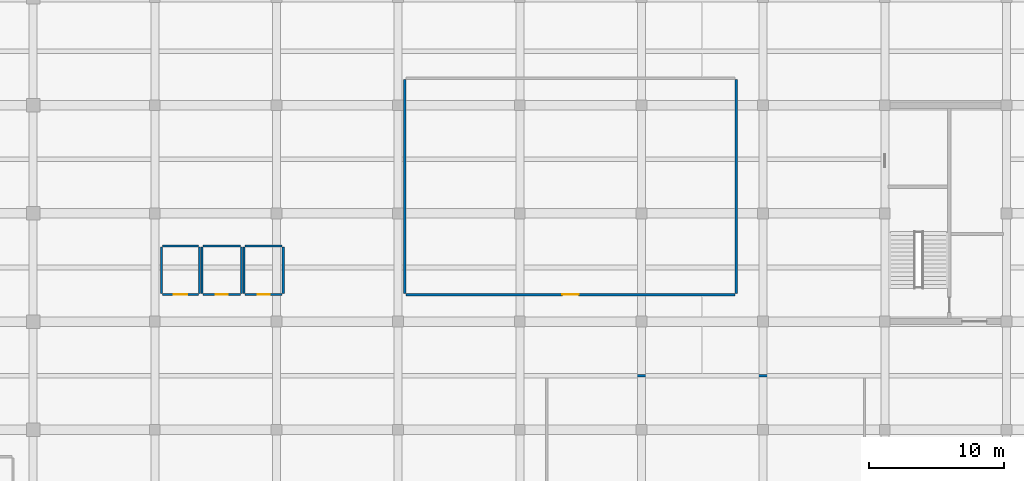
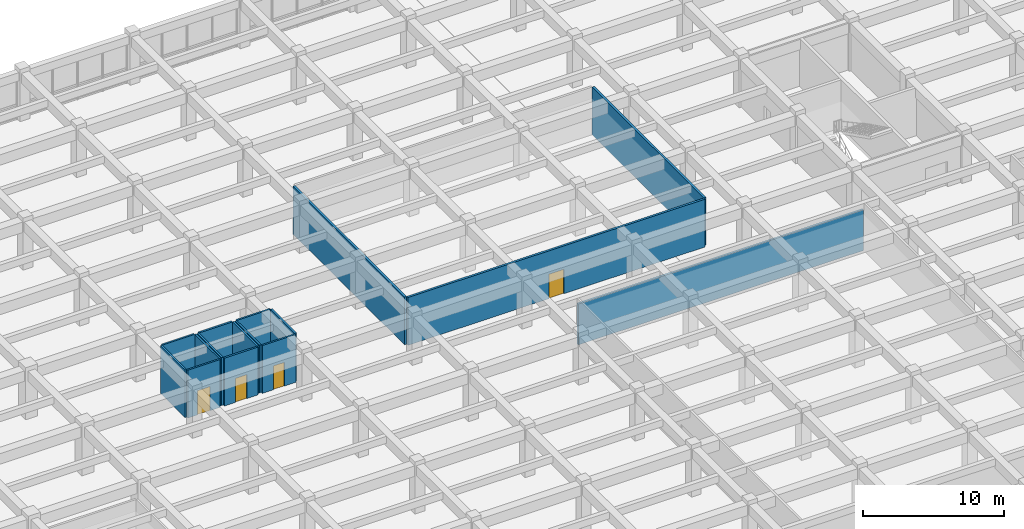
# One storey, part 31 of 50: 16 walls, 4 doors, 4 openings.
"""IFC4 building model written with IfcOpenShell, lengths in metres."""

from ifc_helpers import new_model, si_unit, direction, frame, frame_2d, origin, place, context, subcontext, project, spatial, rectangle, extrude, material, layer, layer_set, type_object, element, fill, save


model = new_model("IFC4")

# Units and contexts
model_context = context("Model", 3, precision=1e-05, world=origin(), true_north=direction((0.0, 1.0)))
body_context = subcontext(model_context, "Body", "Model", "MODEL_VIEW")
ifc_project = project(units=[si_unit("LENGTHUNIT", "METRE"), si_unit("AREAUNIT", "SQUARE_METRE"), si_unit("VOLUMEUNIT", "CUBIC_METRE"), si_unit("PLANEANGLEUNIT", "RADIAN"), si_unit("MASSUNIT", "GRAM", prefix="KILO")], contexts=[model_context])

# Site, building, storey
site_placement = place(None, origin())
site = spatial("IfcSite", under=ifc_project, at=site_placement, CompositionType="ELEMENT")
building_placement = place(site_placement, origin())
building = spatial("IfcBuilding", under=site, at=building_placement, Name="Zaverband Oceanarium and Marine Research Institute", CompositionType="ELEMENT")
storey_placement = place(building_placement, frame((0.0, 0.0, 9.0)))
storey = spatial("IfcBuildingStorey", under=building, at=storey_placement, Name="L02", CompositionType="ELEMENT", Elevation=9.0)

# Wall, opening, door
ifc_material_1 = material(Name="Ceramic-tiled wet-room blockwork", Category="masonry")
ifc_layer_1 = layer(ifc_material_1, 0.14990234375, Name="Ceramic-tiled wet-room blockwork")
ifc_layer_set_1 = layer_set([ifc_layer_1], Name="Ceramic-tiled wet-room blockwork")
wall_type_1 = type_object("IfcWallType", Name="PT-150-WC", PredefinedType="PARTITIONING", material=ifc_layer_set_1)
wall_1_placement = place(storey_placement, frame((81.574951171875, 82.0, 0.0), z_axis=(0.0, 0.0, 1.0), x_axis=(1.0, 0.0, 0.0)))
wall_1 = element("IfcWall", 1, at=wall_1_placement, inside=storey, type_object=wall_type_1, Name="Internal partition PT-150-WC", PredefinedType="PARTITIONING", context=body_context, shape_type="SweptSolid", body=[
    extrude(rectangle(XDim=2.650146484375, YDim=0.14990234375, at=frame_2d((1.3251953125, 0.0))), origin(), (0.0, 0.0, 1.0), 4.139892578125),
])
opening_1_placement = place(wall_1_placement, frame((0.81494140625, 0.0, 0.0)))
opening_1 = element("IfcOpeningElement", 2, at=opening_1_placement, cuts=wall_1, Name="Opening ID-1020x2100", PredefinedType="OPENING", context=body_context, shape_type="SweptSolid", body=[
    extrude(rectangle(XDim=1.02001953125, YDim=2.10009765625, at=frame_2d((0.510009765625, 1.050048828125))), frame((0.0, 0.0869140625, 0.0), z_axis=(0.0, -1.0, 0.0), x_axis=(1.0, 0.0, 0.0)), (0.0, 0.0, 1.0), 0.173828125),
])
ifc_material_2 = material(Name="Hardwood-veneered acoustic timber", Category="wood")
door_type_1 = type_object("IfcDoorType", Name="ID-1020x2100", OperationType="NOTDEFINED", PredefinedType="DOOR", material=ifc_material_2)
door_1_placement = place(opening_1_placement, frame((1.02001953125, 0.0, 0.0), z_axis=(0.0, 0.0, 1.0), x_axis=(-1.0, 0.0, 0.0)))
door_1 = element("IfcDoor", 3, at=door_1_placement, inside=storey, type_object=door_type_1, Name="Accessible WC outward-swing door ID-1020x2100", OperationType="SINGLE_SWING_LEFT", OverallHeight=2.10009765625, OverallWidth=1.02001953125, PredefinedType="DOOR", context=body_context, shape_type="SweptSolid", body=[
    extrude(rectangle(XDim=1.02001953125, YDim=2.10009765625, at=frame_2d((0.510009765625, 1.050048828125))), frame((0.0, 0.02490234375, 0.0), z_axis=(0.0, -1.0, 0.0), x_axis=(1.0, 0.0, 0.0)), (0.0, 0.0, 1.0), 0.050048828125),
])
fill(opening_1, door_1)

# Walls
wall_2_placement = place(storey_placement, frame((81.574951171875, 85.60009765625, 0.0), z_axis=(0.0, 0.0, 1.0), x_axis=(1.0, 0.0, 0.0)))
element("IfcWall", 4, at=wall_2_placement, inside=storey, type_object=wall_type_1, Name="Internal partition PT-150-WC", PredefinedType="PARTITIONING", context=body_context, shape_type="SweptSolid", body=[
    extrude(rectangle(XDim=2.650146484375, YDim=0.14990234375, at=frame_2d((1.3251953125, 0.0))), origin(), (0.0, 0.0, 1.0), 4.139892578125),
])
for number, where, z_axis, x_axis, name in (
    (5, (81.5, 82.074951171875, 0.0), (0.0, 0.0, 1.0), (0.0, 1.0, 0.0), "Internal partition PT-150-WC"),
    (6, (84.300048828125, 82.074951171875, 0.0), (0.0, 0.0, 1.0), (0.0, 1.0, 0.0), "Internal partition PT-150-WC"),
):
    element("IfcWall", number, at=place(storey_placement, frame(where, z_axis=z_axis, x_axis=x_axis)), inside=storey, type_object=wall_type_1, Name=name, PredefinedType="PARTITIONING", context=body_context, shape_type="SweptSolid", body=[
        extrude(rectangle(XDim=3.449951171875, YDim=0.14990234375, at=frame_2d((1.72509765625, 0.0))), origin(), (0.0, 0.0, 1.0), 4.139892578125),
    ])

# Wall, opening, door
wall_3_placement = place(storey_placement, frame((84.574951171875, 82.0, 0.0), z_axis=(0.0, 0.0, 1.0), x_axis=(1.0, 0.0, 0.0)))
wall_3 = element("IfcWall", 7, at=wall_3_placement, inside=storey, type_object=wall_type_1, Name="Internal partition PT-150-WC", PredefinedType="PARTITIONING", context=body_context, shape_type="SweptSolid", body=[
    extrude(rectangle(XDim=2.75, YDim=0.14990234375, at=frame_2d((1.375, 0.0))), origin(), (0.0, 0.0, 1.0), 4.139892578125),
])
opening_2_placement = place(wall_3_placement, frame((0.919921875, 0.0, 0.0)))
opening_2 = element("IfcOpeningElement", 8, at=opening_2_placement, cuts=wall_3, Name="Opening ID-910x2080", PredefinedType="OPENING", context=body_context, shape_type="SweptSolid", body=[
    extrude(rectangle(XDim=0.909912109375, YDim=2.080078125, at=frame_2d((0.455078125, 1.0400390625))), frame((0.0, 0.0869140625, 0.0), z_axis=(0.0, -1.0, 0.0), x_axis=(1.0, 0.0, 0.0)), (0.0, 0.0, 1.0), 0.173828125),
])
door_type_2 = type_object("IfcDoorType", Name="ID-910x2080", OperationType="NOTDEFINED", PredefinedType="DOOR", material=ifc_material_2)
door_2_placement = place(opening_2_placement, origin())
door_2 = element("IfcDoor", 9, at=door_2_placement, inside=storey, type_object=door_type_2, Name="Sanitary washroom entrance door ID-910x2080", OperationType="SINGLE_SWING_RIGHT", OverallHeight=2.080078125, OverallWidth=0.909912109375, PredefinedType="DOOR", context=body_context, shape_type="SweptSolid", body=[
    extrude(rectangle(XDim=0.909912109375, YDim=2.080078125, at=frame_2d((0.455078125, 1.0400390625))), frame((0.0, 0.02490234375, 0.0), z_axis=(0.0, -1.0, 0.0), x_axis=(1.0, 0.0, 0.0)), (0.0, 0.0, 1.0), 0.050048828125),
])
fill(opening_2, door_2)

# Walls
wall_4_placement = place(storey_placement, frame((84.574951171875, 85.60009765625, 0.0), z_axis=(0.0, 0.0, 1.0), x_axis=(1.0, 0.0, 0.0)))
element("IfcWall", 10, at=wall_4_placement, inside=storey, type_object=wall_type_1, Name="Internal partition PT-150-WC", PredefinedType="PARTITIONING", context=body_context, shape_type="SweptSolid", body=[
    extrude(rectangle(XDim=2.75, YDim=0.14990234375, at=frame_2d((1.375, 0.0))), origin(), (0.0, 0.0, 1.0), 4.139892578125),
])
for number, where, z_axis, x_axis, name in (
    (11, (84.5, 82.074951171875, 0.0), (0.0, 0.0, 1.0), (0.0, 1.0, 0.0), "Internal partition PT-150-WC"),
    (12, (87.39990234375, 82.074951171875, 0.0), (0.0, 0.0, 1.0), (0.0, 1.0, 0.0), "Internal partition PT-150-WC"),
):
    element("IfcWall", number, at=place(storey_placement, frame(where, z_axis=z_axis, x_axis=x_axis)), inside=storey, type_object=wall_type_1, Name=name, PredefinedType="PARTITIONING", context=body_context, shape_type="SweptSolid", body=[
        extrude(rectangle(XDim=3.449951171875, YDim=0.14990234375, at=frame_2d((1.72509765625, 0.0))), origin(), (0.0, 0.0, 1.0), 4.139892578125),
    ])

# Wall, opening, door
wall_5_placement = place(storey_placement, frame((87.675048828125, 82.0, 0.0), z_axis=(0.0, 0.0, 1.0), x_axis=(1.0, 0.0, 0.0)))
wall_5 = element("IfcWall", 13, at=wall_5_placement, inside=storey, type_object=wall_type_1, Name="Internal partition PT-150-WC", PredefinedType="PARTITIONING", context=body_context, shape_type="SweptSolid", body=[
    extrude(rectangle(XDim=2.75, YDim=0.14990234375, at=frame_2d((1.375, 0.0))), origin(), (0.0, 0.0, 1.0), 4.139892578125),
])
opening_3_placement = place(wall_5_placement, frame((0.929931640625, 0.0, 0.0)))
opening_3 = element("IfcOpeningElement", 14, at=opening_3_placement, cuts=wall_5, Name="Opening ID-890x2060", PredefinedType="OPENING", context=body_context, shape_type="SweptSolid", body=[
    extrude(rectangle(XDim=0.889892578125, YDim=2.06005859375, at=frame_2d((0.44482421875, 1.030029296875))), frame((0.0, 0.0869140625, 0.0), z_axis=(0.0, -1.0, 0.0), x_axis=(1.0, 0.0, 0.0)), (0.0, 0.0, 1.0), 0.173828125),
])
door_type_3 = type_object("IfcDoorType", Name="ID-890x2060", OperationType="NOTDEFINED", PredefinedType="DOOR", material=ifc_material_2)
door_3_placement = place(opening_3_placement, origin())
door_3 = element("IfcDoor", 15, at=door_3_placement, inside=storey, type_object=door_type_3, Name="Staff WC door ID-890x2060", OperationType="SINGLE_SWING_LEFT", OverallHeight=2.06005859375, OverallWidth=0.889892578125, PredefinedType="DOOR", context=body_context, shape_type="SweptSolid", body=[
    extrude(rectangle(XDim=0.889892578125, YDim=2.06005859375, at=frame_2d((0.44482421875, 1.030029296875))), frame((0.0, 0.02490234375, 0.0), z_axis=(0.0, -1.0, 0.0), x_axis=(1.0, 0.0, 0.0)), (0.0, 0.0, 1.0), 0.050048828125),
])
fill(opening_3, door_3)

# Walls
wall_6_placement = place(storey_placement, frame((87.675048828125, 85.60009765625, 0.0), z_axis=(0.0, 0.0, 1.0), x_axis=(1.0, 0.0, 0.0)))
element("IfcWall", 16, at=wall_6_placement, inside=storey, type_object=wall_type_1, Name="Internal partition PT-150-WC", PredefinedType="PARTITIONING", context=body_context, shape_type="SweptSolid", body=[
    extrude(rectangle(XDim=2.75, YDim=0.14990234375, at=frame_2d((1.375, 0.0))), origin(), (0.0, 0.0, 1.0), 4.139892578125),
])
for number, where, z_axis, x_axis, name in (
    (17, (87.60009765625, 82.074951171875, 0.0), (0.0, 0.0, 1.0), (0.0, 1.0, 0.0), "Internal partition PT-150-WC"),
    (18, (90.5, 82.074951171875, 0.0), (0.0, 0.0, 1.0), (0.0, 1.0, 0.0), "Internal partition PT-150-WC"),
):
    element("IfcWall", number, at=place(storey_placement, frame(where, z_axis=z_axis, x_axis=x_axis)), inside=storey, type_object=wall_type_1, Name=name, PredefinedType="PARTITIONING", context=body_context, shape_type="SweptSolid", body=[
        extrude(rectangle(XDim=3.449951171875, YDim=0.14990234375, at=frame_2d((1.72509765625, 0.0))), origin(), (0.0, 0.0, 1.0), 4.139892578125),
    ])
ifc_material_3 = material(Name="Corridor rated drywall partition")
ifc_layer_2 = layer(ifc_material_3, 0.1650390625, Name="Corridor rated drywall partition")
ifc_layer_set_2 = layer_set([ifc_layer_2], Name="Corridor rated drywall partition")
wall_type_2 = type_object("IfcWallType", Name="PT-165-CR", PredefinedType="PARTITIONING", material=ifc_layer_set_2)
wall_7_placement = place(storey_placement, frame((110.08251953125, 76.0, 0.0), z_axis=(0.0, 0.0, 1.0), x_axis=(1.0, 0.0, 0.0)))
element("IfcWall", 19, at=wall_7_placement, inside=storey, type_object=wall_type_2, Name="Internal partition PT-165-CR", PredefinedType="PARTITIONING", context=body_context, shape_type="SweptSolid", body=[
    extrude(rectangle(XDim=23.3349609375, YDim=0.1650390625, at=frame_2d((11.66748046875, 0.0))), origin(), (0.0, 0.0, 1.0), 3.5400390625),
])

# Wall, opening, door
ifc_material_4 = material(Name="Moisture-resistant laboratory blockwork", Category="masonry")
ifc_layer_3 = layer(ifc_material_4, 0.179931640625, Name="Moisture-resistant laboratory blockwork")
ifc_layer_set_3 = layer_set([ifc_layer_3], Name="Moisture-resistant laboratory blockwork")
wall_type_3 = type_object("IfcWallType", Name="PT-180-LB", PredefinedType="PARTITIONING", material=ifc_layer_set_3)
wall_8_placement = place(storey_placement, frame((99.590087890625, 82.0, 0.0), z_axis=(0.0, 0.0, 1.0), x_axis=(1.0, 0.0, 0.0)))
wall_8 = element("IfcWall", 20, at=wall_8_placement, inside=storey, type_object=wall_type_3, Name="Internal partition PT-180-LB", PredefinedType="PARTITIONING", context=body_context, shape_type="SweptSolid", body=[
    extrude(rectangle(XDim=24.31982421875, YDim=0.179931640625, at=frame_2d((12.159912109375, 0.0))), origin(), (0.0, 0.0, 1.0), 4.139892578125),
])
opening_4_placement = place(wall_8_placement, frame((11.56005859375, 0.0, 0.0)))
opening_4 = element("IfcOpeningElement", 21, at=opening_4_placement, cuts=wall_8, Name="Opening ID-1200x2120", PredefinedType="OPENING", context=body_context, shape_type="SweptSolid", body=[
    extrude(rectangle(XDim=1.199951171875, YDim=2.1201171875, at=frame_2d((0.60009765625, 1.06005859375))), frame((0.0, 0.10205078125, 0.0), z_axis=(0.0, -1.0, 0.0), x_axis=(1.0, 0.0, 0.0)), (0.0, 0.0, 1.0), 0.203857421875),
])
door_type_4 = type_object("IfcDoorType", Name="ID-1200x2120", OperationType="NOTDEFINED", PredefinedType="DOOR", material=ifc_material_2)
door_4_placement = place(opening_4_placement, origin())
door_4 = element("IfcDoor", 22, at=door_4_placement, inside=storey, type_object=door_type_4, Name="Discovery workshop door ID-1200x2120", OperationType="SINGLE_SWING_LEFT", OverallHeight=2.1201171875, OverallWidth=1.199951171875, PredefinedType="DOOR", context=body_context, shape_type="SweptSolid", body=[
    extrude(rectangle(XDim=1.199951171875, YDim=2.1201171875, at=frame_2d((0.60009765625, 1.06005859375))), frame((0.0, 0.02490234375, 0.0), z_axis=(0.0, -1.0, 0.0), x_axis=(1.0, 0.0, 0.0)), (0.0, 0.0, 1.0), 0.050048828125),
])
fill(opening_4, door_4)

# Walls
for number, where, z_axis, x_axis, name in (
    (23, (99.5, 82.090087890625, 0.0), (0.0, 0.0, 1.0), (0.0, 1.0, 0.0), "Internal partition PT-180-LB"),
    (24, (124.0, 82.090087890625, 0.0), (0.0, 0.0, 1.0), (0.0, 1.0, 0.0), "Internal partition PT-180-LB"),
):
    element("IfcWall", number, at=place(storey_placement, frame(where, z_axis=z_axis, x_axis=x_axis)), inside=storey, type_object=wall_type_3, Name=name, PredefinedType="PARTITIONING", context=body_context, shape_type="SweptSolid", body=[
        extrude(rectangle(XDim=15.81982421875, YDim=0.179931640625, at=frame_2d((7.909912109375, 0.0))), origin(), (0.0, 0.0, 1.0), 4.139892578125),
    ])

save(model, "model.ifc")
